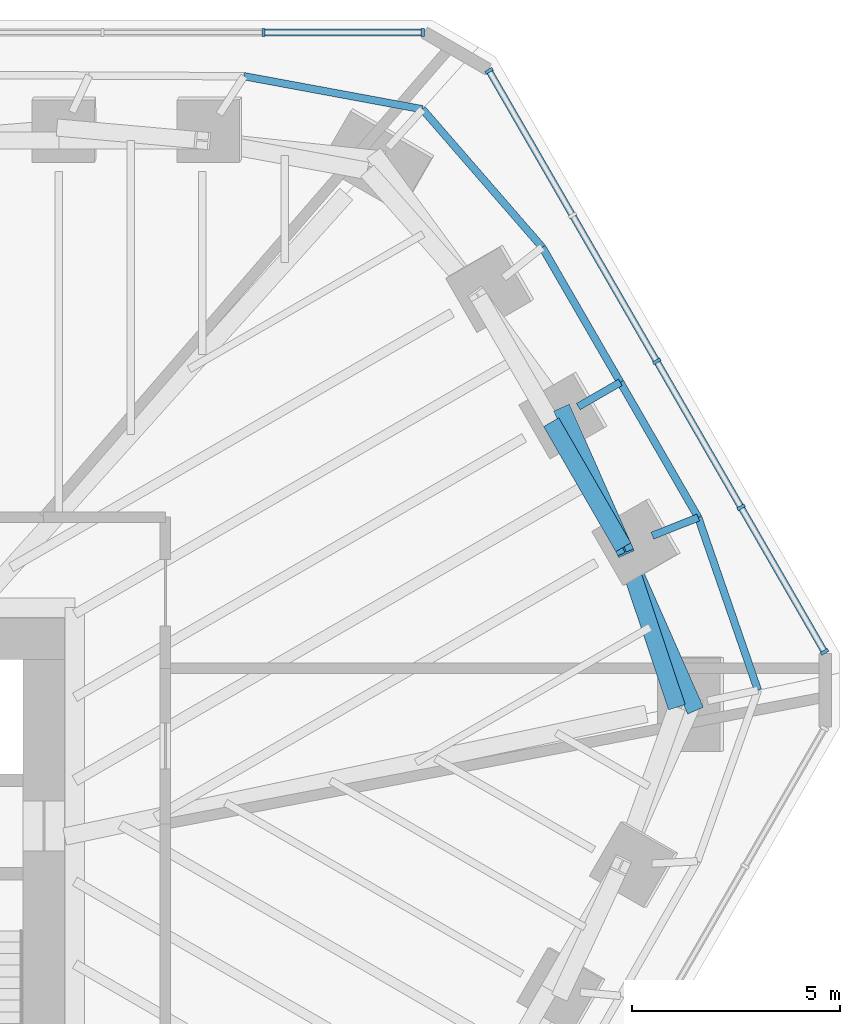
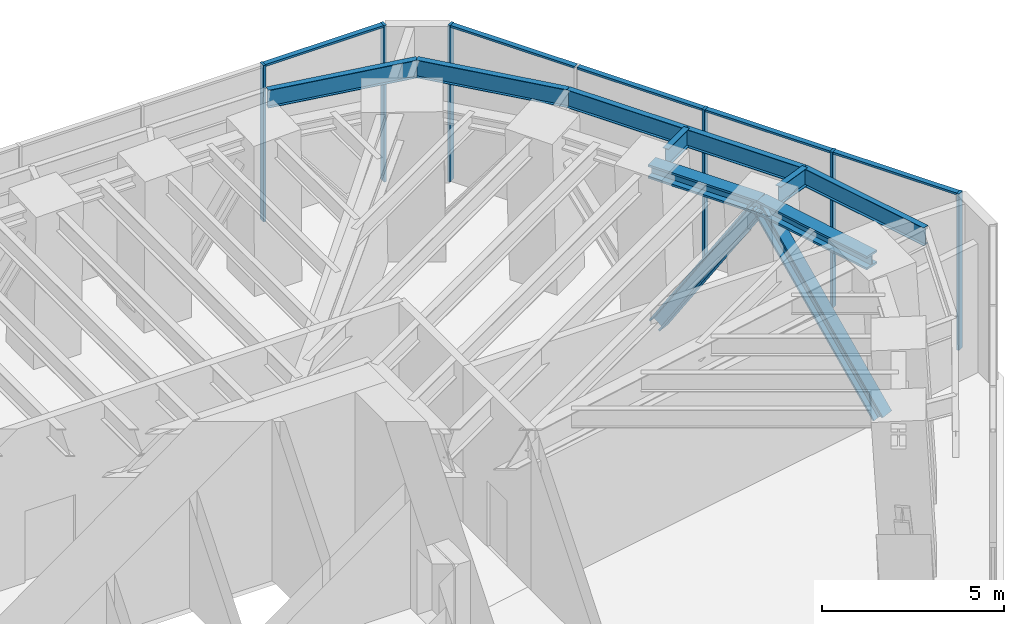
# One storey, part 9 of 13: 13 members, 9 beams, 2 elements without a shape of their own.
"""IFC4 building model written with IfcOpenShell, lengths in metres."""

from ifc_helpers import new_model, si_unit, direction, frame, origin, origin_2d, place, context, subcontext, project, spatial, rectangle, i_section, extrude, material, material_profile, profile_set, type_object, element, aggregate, save


model = new_model("IFC4")

# Units and contexts
model_context = context("Model", 3, precision=1e-05, world=origin(), true_north=direction((0.0, 1.0)))
body_context = subcontext(model_context, "Body", "Model", "MODEL_VIEW")
ifc_project = project(units=[si_unit("LENGTHUNIT", "METRE"), si_unit("AREAUNIT", "SQUARE_METRE"), si_unit("VOLUMEUNIT", "CUBIC_METRE"), si_unit("PLANEANGLEUNIT", "RADIAN"), si_unit("MASSUNIT", "GRAM", prefix="KILO")], contexts=[model_context])

# Site, building, storey
site_placement = place(None, origin())
site = spatial("IfcSite", under=ifc_project, at=site_placement, CompositionType="ELEMENT")
building_placement = place(site_placement, origin())
building = spatial("IfcBuilding", under=site, at=building_placement, Name="Sandreach Pilgrim Tower", CompositionType="ELEMENT")
storey_placement = place(building_placement, frame((0.0, 0.0, 251.60009765625)))
storey = spatial("IfcBuildingStorey", under=building, at=storey_placement, Name="L63", CompositionType="ELEMENT", Elevation=251.60009765625)

# Beams
ifc_material_1 = material(Name="Steel ASTM A913 Grade 65", Category="steel")
ifc_material_profile_1 = material_profile(ifc_material_1, i_section(OverallWidth=0.419189453125, OverallDepth=0.45458984375, WebThickness=0.042236328125, FlangeThickness=0.067626953125, at=origin_2d()), Name="W14X370")
ifc_profile_set_1 = profile_set([ifc_material_profile_1], Name="Steel ASTM A913 Grade 65")
beam_type_1 = type_object("IfcBeamType", Name="Belt truss chord W14X370", PredefinedType="BEAM", material=ifc_profile_set_1)
beam_1_placement = place(storey_placement, frame((20.4365234375, 11.799072265625, 5.012451171875), z_axis=(0.499980616072, -0.866036594811, 0.0), x_axis=(0.866036594811, 0.499980616072, 0.0)))
element("IfcBeam", 1, at=beam_1_placement, inside=storey, type_object=beam_type_1, Name="BM L63 BTT11", PredefinedType="BEAM", context=body_context, shape_type="SweptSolid", body=[
    extrude(i_section(OverallWidth=0.419189453125, OverallDepth=0.45458984375, WebThickness=0.042236328125, FlangeThickness=0.067626953125, at=origin_2d()), origin(), (0.0, 0.0, 1.0), 3.465576171875),
])
beam_2_placement = place(storey_placement, frame((22.169189453125, 8.7978515625, 5.012451171875), z_axis=(0.317293238289, -0.948327475578, 0.0), x_axis=(0.948327475578, 0.317293238289, 0.0)))
element("IfcBeam", 2, at=beam_2_placement, inside=storey, type_object=beam_type_1, Name="BM L63 BTT12", PredefinedType="BEAM", context=body_context, shape_type="SweptSolid", body=[
    extrude(i_section(OverallWidth=0.419189453125, OverallDepth=0.45458984375, WebThickness=0.042236328125, FlangeThickness=0.067626953125, at=origin_2d()), origin(), (0.0, 0.0, 1.0), 4.054931640625),
])

# Members
ifc_material_2 = material(Name="Steel ASTM A913 Grade 65", Category="steel")
ifc_material_profile_2 = material_profile(ifc_material_2, i_section(OverallWidth=0.411376953125, OverallDepth=0.434326171875, WebThickness=0.035888671875, FlangeThickness=0.057373046875, at=origin_2d()), Name="W14X311")
ifc_profile_set_2 = profile_set([ifc_material_profile_2], Name="Steel ASTM A913 Grade 65")
member_type_1 = type_object("IfcMemberType", Name="Belt truss diagonal W14X311", PredefinedType="BRACE", material=ifc_profile_set_2)
member_1_placement = place(storey_placement, frame((20.756103515625, 11.9833984375, -0.387451171875), z_axis=(0.219874733179, -0.49566785047, 0.84021930692), x_axis=(0.914100211169, 0.40548835241, 0.0)))
element("IfcMember", 3, at=member_1_placement, inside=storey, type_object=member_type_1, Name="Belt truss diagonal L63 bay 11", PredefinedType="BRACE", context=body_context, shape_type="SweptSolid", body=[
    extrude(i_section(OverallWidth=0.411376953125, OverallDepth=0.434326171875, WebThickness=0.035888671875, FlangeThickness=0.057373046875, at=origin_2d()), origin(), (0.0, 0.0, 1.0), 6.4267578125),
])
member_2_placement = place(storey_placement, frame((22.169189453125, 8.7978515625, 5.012451171875), z_axis=(0.244920208784, -0.554629938447, -0.795235639737), x_axis=(0.914777330361, 0.403958458085, 0.0)))
element("IfcMember", 4, at=member_2_placement, inside=storey, type_object=member_type_1, Name="Belt truss diagonal L63 bay 12", PredefinedType="BRACE", context=body_context, shape_type="SweptSolid", body=[
    extrude(i_section(OverallWidth=0.411376953125, OverallDepth=0.434326171875, WebThickness=0.035888671875, FlangeThickness=0.057373046875, at=origin_2d()), origin(), (0.0, 0.0, 1.0), 6.790283203125),
])

# Curtain wall, members
ifc_material_3 = material(Name="Aluminium framed curtain wall", Category="aluminium")
curtain_wall_type = type_object("IfcCurtainWallType", Name="Plant storey louvred curtain wall", PredefinedType="NOTDEFINED", material=ifc_material_3)
curtain_wall_1_placement = place(storey_placement, origin())
curtain_wall_1 = element("IfcCurtainWall", 5, at=curtain_wall_1_placement, inside=storey, type_object=curtain_wall_type, Name="CW-L L63 N", PredefinedType="NOTDEFINED")
ifc_material_4 = material(Name="Aluminium extrusion", Category="aluminium")
ifc_material_profile_3 = material_profile(ifc_material_4, rectangle(XDim=0.080078125, YDim=0.199951171875, at=origin_2d()), Name="CW-LM 80X200")
ifc_profile_set_3 = profile_set([ifc_material_profile_3], Name="Aluminium extrusion")
member_type_2 = type_object("IfcMemberType", Name="CW-L mullion", PredefinedType="MULLION", material=ifc_profile_set_3)
member_3_placement = place(storey_placement, frame((13.525390625, 21.16015625, 0.0), z_axis=(0.0, 0.0, 1.0), x_axis=(1.0, 0.0, 0.0)))
member_3 = element("IfcMember", 6, at=member_3_placement, type_object=member_type_2, Name="CW-L mullion 9", PredefinedType="MULLION", context=body_context, shape_type="SweptSolid", body=[
    extrude(rectangle(XDim=0.080078125, YDim=0.199951171875, at=origin_2d()), origin(), (0.0, 0.0, 1.0), 5.239990234375),
])
member_4_placement = place(storey_placement, frame((17.349853515625, 21.16015625, 0.0), z_axis=(0.0, 0.0, 1.0), x_axis=(1.0, 0.0, 0.0)))
member_4 = element("IfcMember", 7, at=member_4_placement, type_object=member_type_2, Name="CW-L mullion 10", PredefinedType="MULLION", context=body_context, shape_type="SweptSolid", body=[
    extrude(rectangle(XDim=0.080078125, YDim=0.199951171875, at=origin_2d()), origin(), (0.0, 0.0, 1.0), 5.239990234375),
])

curtain_wall_2_placement = place(storey_placement, origin())
curtain_wall_2 = element("IfcCurtainWall", 8, at=curtain_wall_2_placement, inside=storey, type_object=curtain_wall_type, Name="CW-L L63 NE", PredefinedType="NOTDEFINED")
member_5_placement = place(storey_placement, frame((18.94287109375, 20.240478515625, 0.0), z_axis=(0.0, 0.0, 1.0), x_axis=(0.5, -0.866025403784, 0.0)))
member_5 = element("IfcMember", 9, at=member_5_placement, type_object=member_type_2, Name="CW-L mullion 1", PredefinedType="MULLION", context=body_context, shape_type="SweptSolid", body=[
    extrude(rectangle(XDim=0.080078125, YDim=0.199951171875, at=origin_2d()), origin(), (0.0, 0.0, 1.0), 5.239990234375),
])
member_6_placement = place(storey_placement, frame((22.971435546875, 13.262451171875, 0.0), z_axis=(0.0, 0.0, 1.0), x_axis=(0.5, -0.866025403784, 0.0)))
member_6 = element("IfcMember", 10, at=member_6_placement, type_object=member_type_2, Name="CW-L mullion 3", PredefinedType="MULLION", context=body_context, shape_type="SweptSolid", body=[
    extrude(rectangle(XDim=0.080078125, YDim=0.199951171875, at=origin_2d()), origin(), (0.0, 0.0, 1.0), 5.239990234375),
])
member_7_placement = place(storey_placement, frame((24.995849609375, 9.75634765625, 0.0), z_axis=(0.0, 0.0, 1.0), x_axis=(0.5, -0.866025403784, 0.0)))
member_7 = element("IfcMember", 11, at=member_7_placement, type_object=member_type_2, Name="CW-L mullion 4", PredefinedType="MULLION", context=body_context, shape_type="SweptSolid", body=[
    extrude(rectangle(XDim=0.080078125, YDim=0.199951171875, at=origin_2d()), origin(), (0.0, 0.0, 1.0), 5.239990234375),
])
member_8_placement = place(storey_placement, frame((27.000244140625, 6.28466796875, 0.0), z_axis=(0.0, 0.0, 1.0), x_axis=(0.5, -0.866025403784, 0.0)))
member_8 = element("IfcMember", 12, at=member_8_placement, type_object=member_type_2, Name="CW-L mullion 5", PredefinedType="MULLION", context=body_context, shape_type="SweptSolid", body=[
    extrude(rectangle(XDim=0.080078125, YDim=0.199951171875, at=origin_2d()), origin(), (0.0, 0.0, 1.0), 5.239990234375),
])

# Member
ifc_material_5 = material(Name="Aluminium extrusion", Category="aluminium")
ifc_material_profile_4 = material_profile(ifc_material_5, rectangle(XDim=0.159912109375, YDim=0.070068359375, at=origin_2d()), Name="CW-LT 160X70")
ifc_profile_set_4 = profile_set([ifc_material_profile_4], Name="Aluminium extrusion")
member_type_3 = type_object("IfcMemberType", Name="CW-L transom", PredefinedType="USERDEFINED", material=ifc_profile_set_4)
member_9_placement = place(storey_placement, frame((13.5654296875, 21.16015625, 5.204833984375), z_axis=(1.0, 0.0, 0.0), x_axis=(0.0, 1.0, 0.0)))
member_9 = element("IfcMember", 13, at=member_9_placement, type_object=member_type_3, Name="CW-L head transom 9", ObjectType="TRANSOM", PredefinedType="USERDEFINED", context=body_context, shape_type="SweptSolid", body=[
    extrude(rectangle(XDim=0.159912109375, YDim=0.070068359375, at=origin_2d()), origin(), (0.0, 0.0, 1.0), 3.744384765625),
])

aggregate(curtain_wall_1, [member_3, member_4, member_9])

member_10_placement = place(storey_placement, frame((18.962646484375, 20.205810546875, 5.204833984375), z_axis=(0.500002174158, -0.86602414853, 0.0), x_axis=(0.86602414853, 0.500002174158, 0.0)))
member_10 = element("IfcMember", 14, at=member_10_placement, type_object=member_type_3, Name="CW-L head transom 1", ObjectType="TRANSOM", PredefinedType="USERDEFINED", context=body_context, shape_type="SweptSolid", body=[
    extrude(rectangle(XDim=0.159912109375, YDim=0.070068359375, at=origin_2d()), origin(), (0.0, 0.0, 1.0), 3.9287109375),
])

member_11_placement = place(storey_placement, frame((20.967041015625, 16.734130859375, 5.204833984375), z_axis=(0.500002902497, -0.866023728021, 0.0), x_axis=(0.866023728021, 0.500002902497, 0.0)))
member_11 = element("IfcMember", 15, at=member_11_placement, type_object=member_type_3, Name="CW-L head transom 2", ObjectType="TRANSOM", PredefinedType="USERDEFINED", context=body_context, shape_type="SweptSolid", body=[
    extrude(rectangle(XDim=0.159912109375, YDim=0.070068359375, at=origin_2d()), origin(), (0.0, 0.0, 1.0), 3.96875),
])

member_12_placement = place(storey_placement, frame((22.991455078125, 13.22802734375, 5.204833984375), z_axis=(0.500002902497, -0.866023728021, 0.0), x_axis=(0.866023728021, 0.500002902497, 0.0)))
member_12 = element("IfcMember", 16, at=member_12_placement, type_object=member_type_3, Name="CW-L head transom 3", ObjectType="TRANSOM", PredefinedType="USERDEFINED", context=body_context, shape_type="SweptSolid", body=[
    extrude(rectangle(XDim=0.159912109375, YDim=0.070068359375, at=origin_2d()), origin(), (0.0, 0.0, 1.0), 3.96875),
])

member_13_placement = place(storey_placement, frame((25.015869140625, 9.7216796875, 5.204833984375), z_axis=(0.500002174158, -0.86602414853, 0.0), x_axis=(0.86602414853, 0.500002174158, 0.0)))
member_13 = element("IfcMember", 17, at=member_13_placement, type_object=member_type_3, Name="CW-L head transom 4", ObjectType="TRANSOM", PredefinedType="USERDEFINED", context=body_context, shape_type="SweptSolid", body=[
    extrude(rectangle(XDim=0.159912109375, YDim=0.070068359375, at=origin_2d()), origin(), (0.0, 0.0, 1.0), 3.9287109375),
])

aggregate(curtain_wall_2, [member_5, member_6, member_7, member_8, member_10, member_11, member_12, member_13])

# Beams
ifc_material_6 = material(Name="Steel ASTM A992 Grade 50", Category="steel")
ifc_material_profile_5 = material_profile(ifc_material_6, i_section(OverallWidth=0.1787109375, OverallDepth=0.60205078125, WebThickness=0.010986328125, FlangeThickness=0.014892578125, at=origin_2d()), Name="W24X62")
ifc_profile_set_5 = profile_set([ifc_material_profile_5], Name="Steel ASTM A992 Grade 50")
beam_type_2 = type_object("IfcBeamType", Name="Setback roof edge beam W24X62", PredefinedType="BEAM", material=ifc_profile_set_5)
beam_3_placement = place(storey_placement, frame((13.059814453125, 20.10986328125, 4.89892578125), z_axis=(0.9832957476, -0.182015034409, 0.0), x_axis=(0.182015034409, 0.9832957476, 0.0)))
element("IfcBeam", 18, at=beam_3_placement, inside=storey, type_object=beam_type_2, Name="BM L63 RE08", PredefinedType="BEAM", context=body_context, shape_type="SweptSolid", body=[
    extrude(i_section(OverallWidth=0.1787109375, OverallDepth=0.60205078125, WebThickness=0.010986328125, FlangeThickness=0.014892578125, at=origin_2d()), origin(), (0.0, 0.0, 1.0), 4.35791015625),
])
beam_4_placement = place(storey_placement, frame((17.344970703125, 19.316650390625, 4.89892578125), z_axis=(0.655273515477, -0.75539169966, 0.0), x_axis=(0.75539169966, 0.655273515477, 0.0)))
element("IfcBeam", 19, at=beam_4_placement, inside=storey, type_object=beam_type_2, Name="BM L63 RE09", PredefinedType="BEAM", context=body_context, shape_type="SweptSolid", body=[
    extrude(i_section(OverallWidth=0.1787109375, OverallDepth=0.60205078125, WebThickness=0.010986328125, FlangeThickness=0.014892578125, at=origin_2d()), origin(), (0.0, 0.0, 1.0), 4.389404296875),
])
beam_5_placement = place(storey_placement, frame((20.22119140625, 16.0009765625, 4.89892578125), z_axis=(0.500581548084, -0.865689386396, 0.0), x_axis=(0.865689386396, 0.500581548084, 0.0)))
element("IfcBeam", 20, at=beam_5_placement, inside=storey, type_object=beam_type_2, Name="BM L63 RE10", PredefinedType="BEAM", context=body_context, shape_type="SweptSolid", body=[
    extrude(i_section(OverallWidth=0.1787109375, OverallDepth=0.60205078125, WebThickness=0.010986328125, FlangeThickness=0.014892578125, at=origin_2d()), origin(), (0.0, 0.0, 1.0), 3.74658203125),
])
beam_6_placement = place(storey_placement, frame((22.0966796875, 12.757568359375, 4.89892578125), z_axis=(0.49939147885, -0.866376448694, 0.0), x_axis=(0.866376448694, 0.49939147885, 0.0)))
element("IfcBeam", 21, at=beam_6_placement, inside=storey, type_object=beam_type_2, Name="BM L63 RE11", PredefinedType="BEAM", context=body_context, shape_type="SweptSolid", body=[
    extrude(i_section(OverallWidth=0.1787109375, OverallDepth=0.60205078125, WebThickness=0.010986328125, FlangeThickness=0.014892578125, at=origin_2d()), origin(), (0.0, 0.0, 1.0), 3.746826171875),
])
beam_7_placement = place(storey_placement, frame((23.9677734375, 9.511474609375, 4.89892578125), z_axis=(0.326571753487, -0.94517241275, 0.0), x_axis=(0.94517241275, 0.326571753487, 0.0)))
element("IfcBeam", 22, at=beam_7_placement, inside=storey, type_object=beam_type_2, Name="BM L63 RE12", PredefinedType="BEAM", context=body_context, shape_type="SweptSolid", body=[
    extrude(i_section(OverallWidth=0.1787109375, OverallDepth=0.60205078125, WebThickness=0.010986328125, FlangeThickness=0.014892578125, at=origin_2d()), origin(), (0.0, 0.0, 1.0), 4.38916015625),
])
ifc_material_7 = material(Name="Steel ASTM A992 Grade 50", Category="steel")
ifc_material_profile_6 = material_profile(ifc_material_7, i_section(OverallWidth=0.1787109375, OverallDepth=0.60205078125, WebThickness=0.010986328125, FlangeThickness=0.014892578125, at=origin_2d()), Name="W24X62")
ifc_profile_set_6 = profile_set([ifc_material_profile_6], Name="Steel ASTM A992 Grade 50")
beam_type_3 = type_object("IfcBeamType", Name="Setback roof outlooker W24X62", PredefinedType="BEAM", material=ifc_profile_set_6)
beam_8_placement = place(storey_placement, frame((21.0859375, 12.174072265625, 4.89892578125), z_axis=(0.866046247233, 0.49996389635, 0.0), x_axis=(-0.49996389635, 0.866046247233, 0.0)))
element("IfcBeam", 23, at=beam_8_placement, inside=storey, type_object=beam_type_3, Name="BM L63 OL11", PredefinedType="BEAM", context=body_context, shape_type="SweptSolid", body=[
    extrude(i_section(OverallWidth=0.1787109375, OverallDepth=0.60205078125, WebThickness=0.010986328125, FlangeThickness=0.014892578125, at=origin_2d()), origin(), (0.0, 0.0, 1.0), 1.1669921875),
])
beam_9_placement = place(storey_placement, frame((22.866455078125, 9.074462890625, 4.89892578125), z_axis=(0.929496317589, 0.368831391816, 0.0), x_axis=(-0.368831391816, 0.929496317589, 0.0)))
element("IfcBeam", 24, at=beam_9_placement, inside=storey, type_object=beam_type_3, Name="BM L63 OL12", PredefinedType="BEAM", context=body_context, shape_type="SweptSolid", body=[
    extrude(i_section(OverallWidth=0.1787109375, OverallDepth=0.60205078125, WebThickness=0.010986328125, FlangeThickness=0.014892578125, at=origin_2d()), origin(), (0.0, 0.0, 1.0), 1.184814453125),
])

save(model, "model.ifc")
